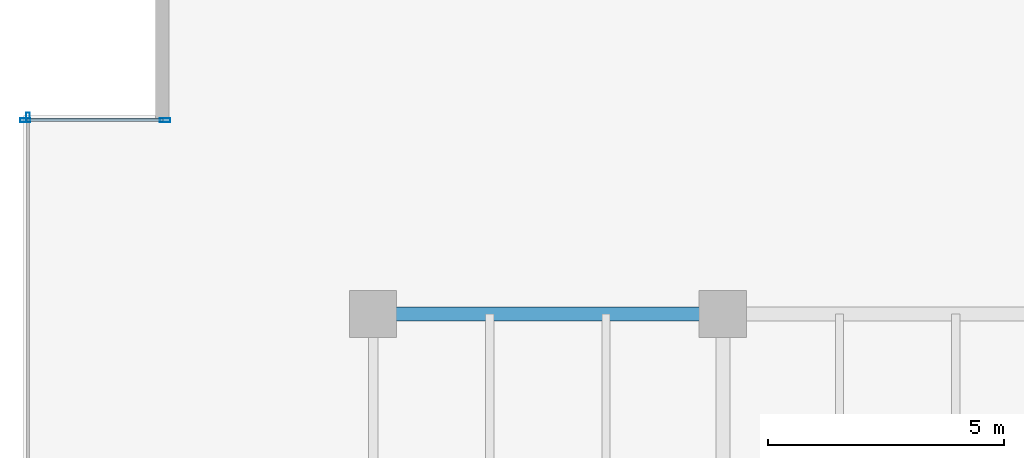
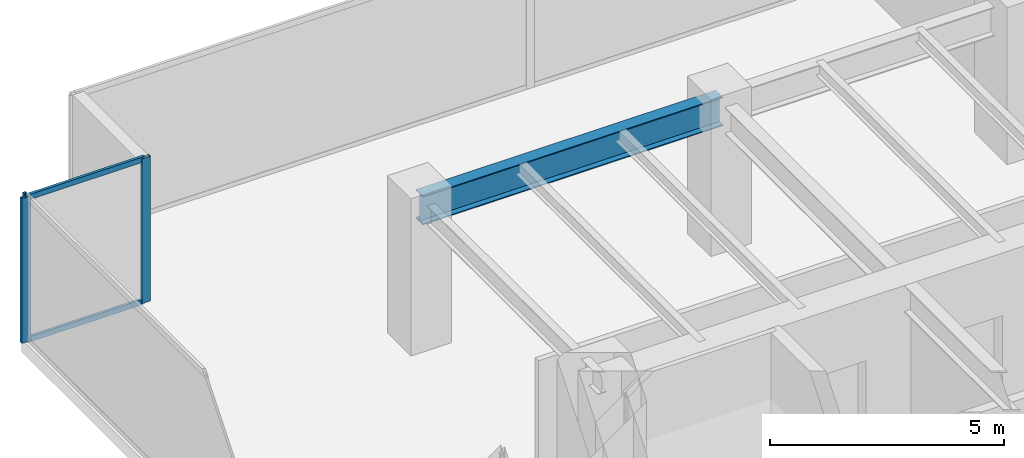
# One storey, part 12 of 35: 5 members, 1 beam, 2 elements without a shape of their own.
"""IFC4 building model written with IfcOpenShell, lengths in metres."""

from ifc_helpers import new_model, si_unit, direction, frame, origin, origin_2d, place, context, subcontext, project, spatial, hollow_rectangle, i_section, extrude, source, transform, mapped, material, layer, layer_set, material_profile, profile_set, type_object, type_shapes, element, aggregate, save


model = new_model("IFC4")

# Units and contexts
model_context = context("Model", 3, precision=1e-05, world=origin(), true_north=direction((0.0, 1.0)))
body_context = subcontext(model_context, "Body", "Model", "MODEL_VIEW")
ifc_project = project(units=[si_unit("LENGTHUNIT", "METRE"), si_unit("AREAUNIT", "SQUARE_METRE"), si_unit("VOLUMEUNIT", "CUBIC_METRE"), si_unit("PLANEANGLEUNIT", "RADIAN"), si_unit("MASSUNIT", "GRAM", prefix="KILO")], contexts=[model_context])

# Site, building, storey
site_placement = place(None, origin())
site = spatial("IfcSite", under=ifc_project, at=site_placement, CompositionType="ELEMENT")
building_placement = place(site_placement, origin())
building = spatial("IfcBuilding", under=site, at=building_placement, Name="Haelvirn Gate Laboratories", CompositionType="ELEMENT")
storey_placement = place(building_placement, frame((0.0, 0.0, 45.699951171875)))
storey = spatial("IfcBuildingStorey", under=building, at=storey_placement, Name="L11", CompositionType="ELEMENT", Elevation=45.699951171875)

# Beam
ifc_material_1 = material(Name="Steel SM355", Category="steel")
ifc_material_profile_1 = material_profile(ifc_material_1, i_section(OverallWidth=0.300048828125, OverallDepth=0.75, WebThickness=0.013916015625, FlangeThickness=0.02392578125, at=origin_2d()), Name="H-750x300x14x24")
ifc_profile_set_1 = profile_set([ifc_material_profile_1], Name="Steel SM355")
beam_type = type_object("IfcBeamType", Name="BM-G-750", PredefinedType="BEAM", material=ifc_profile_set_1)
shared_shape_1 = source(origin(), body_context, "Body", "SweptSolid", [
    extrude(i_section(OverallWidth=0.300048828125, OverallDepth=0.75, WebThickness=0.013916015625, FlangeThickness=0.02392578125, at=origin_2d()), origin(), (0.0, 0.0, 1.0), 7.400146484375),
])
type_shapes(beam_type, [shared_shape_1])
beam_placement = place(storey_placement, frame((7.39990234375, 41.60009765625, 3.405029296875), z_axis=(1.0, 0.0, 0.0), x_axis=(0.0, 1.0, 0.0)))
element("IfcBeam", 1, at=beam_placement, inside=storey, type_object=beam_type, Name="L11 Primary Girder Y41.6 (7.4-14.8)", PredefinedType="BEAM", context=body_context, shape_type="MappedRepresentation", body=[
    mapped(shared_shape_1, transform((0.0, 0.0, 0.0), scale=1.0)),
])

# Curtain wall, member
ifc_material_2 = material(Name="Anodised bronze unitised aluminium & triple low-E glass", Category="aluminium")
ifc_layer_1 = layer(ifc_material_2, 0.18408203125, Name="CW-SYS-2")
ifc_layer_set_1 = layer_set([ifc_layer_1], Name="Anodised bronze unitised aluminium & triple low-E glass")
curtain_wall_type_1 = type_object("IfcCurtainWallType", Name="CW-SYS-2", PredefinedType="NOTDEFINED", material=ifc_layer_set_1)
curtain_wall_1_placement = place(storey_placement, origin())
curtain_wall_1 = element("IfcCurtainWall", 2, at=curtain_wall_1_placement, inside=storey, type_object=curtain_wall_type_1, Name="L11 Unitised Curtain Wall CW-L11-P0-E17", PredefinedType="NOTDEFINED")
ifc_material_3 = material(Name="Extruded aluminium 6063-T6 (anodised bronze)", Category="aluminium")
ifc_material_profile_2 = material_profile(ifc_material_3, hollow_rectangle(XDim=0.074951171875, YDim=0.199951171875, WallThickness=0.0048828125, at=origin_2d()), Name="CWM-200x75x5")
ifc_profile_set_2 = profile_set([ifc_material_profile_2], Name="Extruded aluminium 6063-T6 (anodised bronze)")
member_type_1 = type_object("IfcMemberType", Name="CWM-T200", PredefinedType="MULLION", material=ifc_profile_set_2)
shared_shape_2 = source(origin(), body_context, "Body", "SweptSolid", [
    extrude(hollow_rectangle(XDim=0.074951171875, YDim=0.199951171875, WallThickness=0.0048828125, at=origin_2d()), origin(), (0.0, 0.0, 1.0), 3.780029296875),
])
type_shapes(member_type_1, [shared_shape_2])
member_1_placement = place(storey_placement, frame((0.10009765625, 45.762451171875, 0.0), z_axis=(0.0, 0.0, 1.0), x_axis=(1.0, 0.0, 0.0)))
member_1 = element("IfcMember", 3, at=member_1_placement, type_object=member_type_1, Name="CW2 mullion 1", PredefinedType="MULLION", context=body_context, shape_type="MappedRepresentation", body=[
    mapped(shared_shape_2, transform((0.0, 0.0, 0.0), scale=1.0)),
])
aggregate(curtain_wall_1, [member_1])

# Curtain wall, members
ifc_layer_2 = layer(ifc_material_2, 0.181884765625, Name="CW-SYS-5")
ifc_layer_set_2 = layer_set([ifc_layer_2], Name="Anodised bronze unitised aluminium & triple low-E glass")
curtain_wall_type_2 = type_object("IfcCurtainWallType", Name="CW-SYS-5", PredefinedType="NOTDEFINED", material=ifc_layer_set_2)
curtain_wall_2_placement = place(storey_placement, origin())
curtain_wall_2 = element("IfcCurtainWall", 4, at=curtain_wall_2_placement, inside=storey, type_object=curtain_wall_type_2, Name="L11 Unitised Curtain Wall CW-L11-P0-E16-1", PredefinedType="NOTDEFINED")
ifc_material_profile_3 = material_profile(ifc_material_3, hollow_rectangle(XDim=0.080078125, YDim=0.219970703125, WallThickness=0.006103515625, at=origin_2d()), Name="CWM-220x80x6")
ifc_profile_set_3 = profile_set([ifc_material_profile_3], Name="Extruded aluminium 6063-T6 (anodised bronze)")
member_type_2 = type_object("IfcMemberType", Name="CWM-T220", PredefinedType="MULLION", material=ifc_profile_set_3)
shared_shape_3 = source(origin(), body_context, "Body", "SweptSolid", [
    extrude(hollow_rectangle(XDim=0.080078125, YDim=0.219970703125, WallThickness=0.006103515625, at=origin_2d()), origin(), (0.0, 0.0, 1.0), 3.780029296875),
])
type_shapes(member_type_2, [shared_shape_3])
member_2_placement = place(storey_placement, frame((0.0400390625, 45.699951171875, 0.0), z_axis=(0.0, 0.0, 1.0), x_axis=(0.0, 1.0, 0.0)))
member_2 = element("IfcMember", 5, at=member_2_placement, type_object=member_type_2, Name="CW5 mullion 1", PredefinedType="MULLION", context=body_context, shape_type="MappedRepresentation", body=[
    mapped(shared_shape_3, transform((0.0, 0.0, 0.0), scale=1.0)),
])
member_3_placement = place(storey_placement, frame((3.0, 45.699951171875, 0.0), z_axis=(0.0, 0.0, 1.0), x_axis=(0.0, 1.0, 0.0)))
member_3 = element("IfcMember", 6, at=member_3_placement, type_object=member_type_2, Name="CW5 mullion 2", PredefinedType="MULLION", context=body_context, shape_type="MappedRepresentation", body=[
    mapped(shared_shape_3, transform((0.0, 0.0, 0.0), scale=1.0)),
])
ifc_material_profile_4 = material_profile(ifc_material_3, hollow_rectangle(XDim=0.06494140625, YDim=0.139892578125, WallThickness=0.00390625, at=origin_2d()), Name="CWT-140x65x4")
ifc_profile_set_4 = profile_set([ifc_material_profile_4], Name="Extruded aluminium 6063-T6 (anodised bronze)")
member_type_3 = type_object("IfcMemberType", Name="CWT-T140", PredefinedType="USERDEFINED", material=ifc_profile_set_4)
shared_shape_4 = source(origin(), body_context, "Body", "SweptSolid", [
    extrude(hollow_rectangle(XDim=0.06494140625, YDim=0.139892578125, WallThickness=0.00390625, at=origin_2d()), origin(), (0.0, 0.0, 1.0), 2.8798828125),
])
type_shapes(member_type_3, [shared_shape_4])
member_4_placement = place(storey_placement, frame((0.080078125, 45.699951171875, 0.032470703125), z_axis=(1.0, 0.0, 0.0), x_axis=(0.0, 1.0, 0.0)))
member_4 = element("IfcMember", 7, at=member_4_placement, type_object=member_type_3, Name="CW5 transom 1.1", ObjectType="TRANSOM", PredefinedType="USERDEFINED", context=body_context, shape_type="MappedRepresentation", body=[
    mapped(shared_shape_4, transform((0.0, 0.0, 0.0), scale=1.0)),
])
member_5_placement = place(storey_placement, frame((0.080078125, 45.699951171875, 3.74755859375), z_axis=(1.0, 0.0, 0.0), x_axis=(0.0, 1.0, 0.0)))
member_5 = element("IfcMember", 8, at=member_5_placement, type_object=member_type_3, Name="CW5 transom 1.2", ObjectType="TRANSOM", PredefinedType="USERDEFINED", context=body_context, shape_type="MappedRepresentation", body=[
    mapped(shared_shape_4, transform((0.0, 0.0, 0.0), scale=1.0)),
])
aggregate(curtain_wall_2, [member_2, member_3, member_4, member_5])

save(model, "model.ifc")
